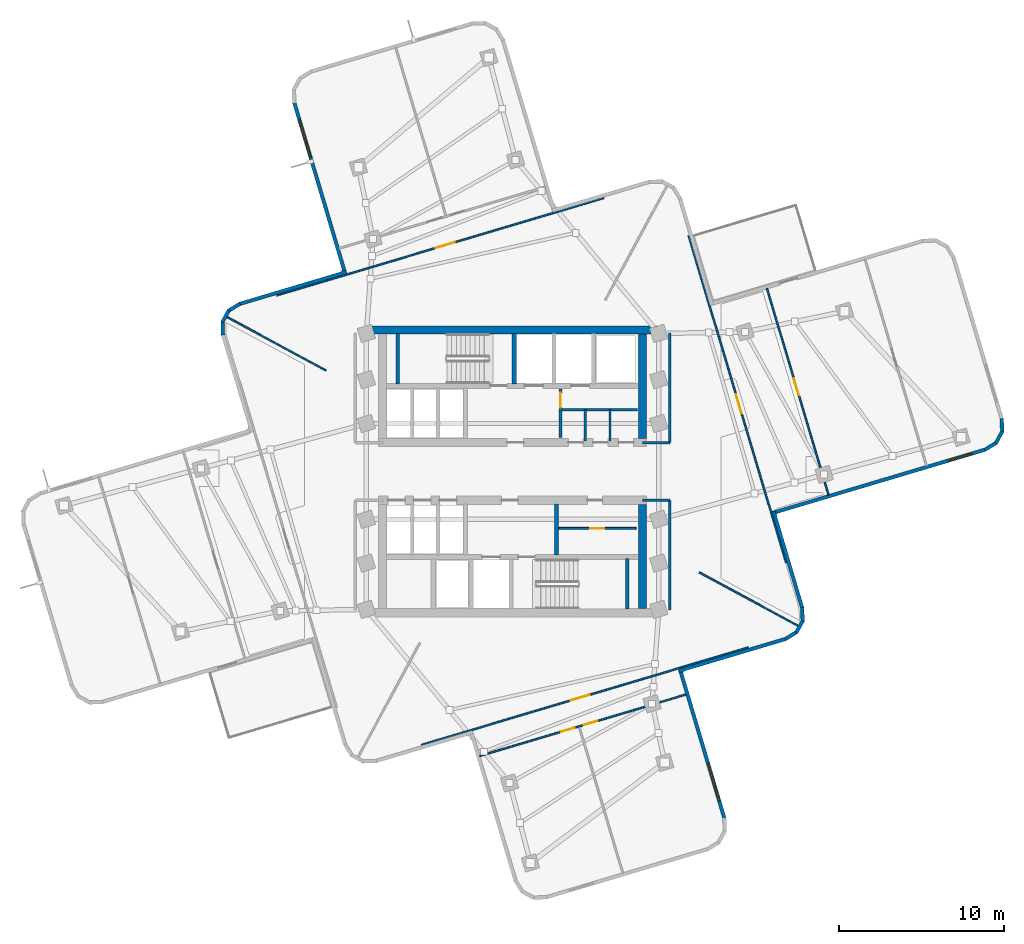
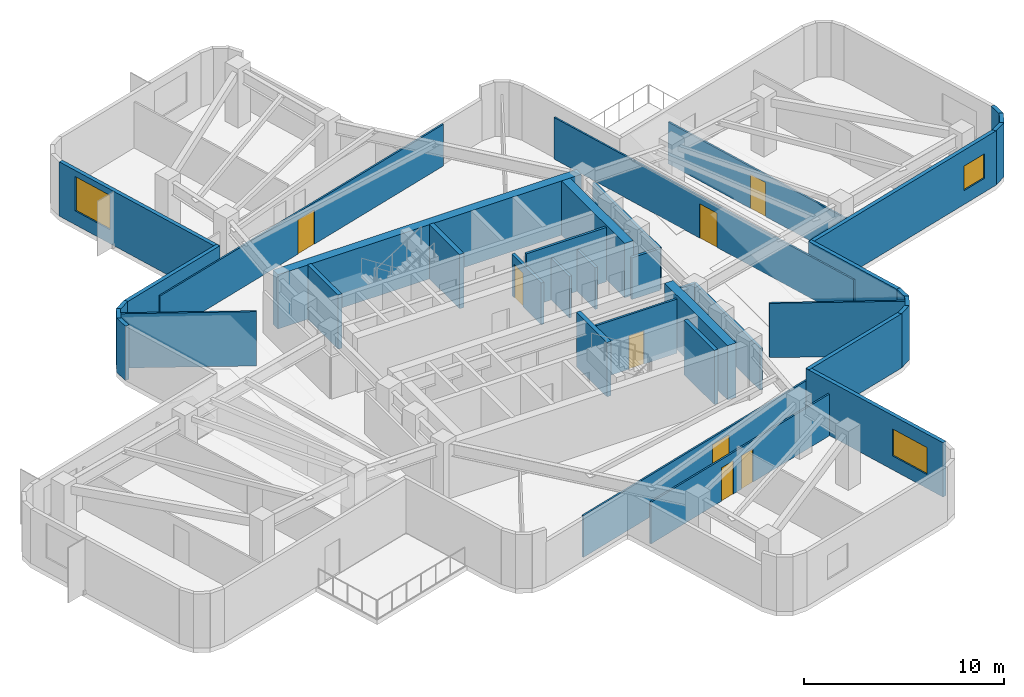
# One storey, part 4 of 8: 38 walls, 8 doors, 3 windows, 11 openings.
"""IFC4 building model written with IfcOpenShell, lengths in metres."""

from ifc_helpers import new_model, si_unit, direction, frame, frame_2d, origin, place, context, subcontext, project, spatial, rectangle, extrude, material, layer, layer_set, type_object, element, fill, save


model = new_model("IFC4")

# Units and contexts
model_context = context("Model", 3, precision=1e-05, world=origin(), true_north=direction((0.0, 1.0)))
body_context = subcontext(model_context, "Body", "Model", "MODEL_VIEW")
ifc_project = project(units=[si_unit("LENGTHUNIT", "METRE"), si_unit("AREAUNIT", "SQUARE_METRE"), si_unit("VOLUMEUNIT", "CUBIC_METRE"), si_unit("PLANEANGLEUNIT", "RADIAN"), si_unit("MASSUNIT", "GRAM", prefix="KILO")], contexts=[model_context])

# Site, building, storey
site_placement = place(None, origin())
site = spatial("IfcSite", under=ifc_project, at=site_placement, CompositionType="ELEMENT")
building_placement = place(site_placement, origin())
building = spatial("IfcBuilding", under=site, at=building_placement, Name="Solmarez Civic Tower", CompositionType="ELEMENT")
storey_placement = place(building_placement, frame((0.0, 0.0, 145.080078125)))
storey = spatial("IfcBuildingStorey", under=building, at=storey_placement, Name="L38", CompositionType="ELEMENT", Elevation=145.080078125)

# Walls
ifc_material_1 = material(Name="Concrete C60/75", Category="concrete")
ifc_layer_1 = layer(ifc_material_1, 0.5)
ifc_layer_set_1 = layer_set([ifc_layer_1], Name="Concrete C60/75")
wall_type_1 = type_object("IfcWallType", Name="WALL-CORE-500", PredefinedType="SHEAR", material=ifc_layer_set_1)
wall_1_placement = place(storey_placement, frame((-8.780029296875, 8.56005859375, 0.0), z_axis=(0.0, 0.0, 1.0), x_axis=(1.0, 0.0, 0.0)))
element("IfcWall", 1, at=wall_1_placement, inside=storey, type_object=wall_type_1, Name="L38 Split-Core Structural Wall NCW-N-L38", PredefinedType="SHEAR", context=body_context, shape_type="SweptSolid", body=[
    extrude(rectangle(XDim=17.56005859375, YDim=0.5, at=frame_2d((8.780029296875, 0.0))), origin(), (0.0, 0.0, 1.0), 3.31982421875),
])
for number, where, z_axis, x_axis, name in (
    (2, (7.8701171875, 8.31005859375, 0.0), (0.0, 0.0, 1.0), (0.0, -1.0, 0.0), "L38 Split-Core Structural Wall NCW-E-L38"),
    (3, (7.8701171875, -2.0, 0.0), (0.0, 0.0, 1.0), (0.0, -1.0, 0.0), "L38 Split-Core Structural Wall SCW-E-L38"),
):
    element("IfcWall", number, at=place(storey_placement, frame(where, z_axis=z_axis, x_axis=x_axis)), inside=storey, type_object=wall_type_1, Name=name, PredefinedType="SHEAR", context=body_context, shape_type="SweptSolid", body=[
        extrude(rectangle(XDim=6.31005859375, YDim=0.5, at=frame_2d((3.155029296875, 0.0))), origin(), (0.0, 0.0, 1.0), 3.31982421875),
    ])
ifc_material_2 = material(Name="Precast concrete C40/50", Category="concrete")
ifc_layer_2 = layer(ifc_material_2, 0.219970703125)
ifc_layer_set_2 = layer_set([ifc_layer_2], Name="Precast concrete C40/50")
wall_type_2 = type_object("IfcWallType", Name="WALL-EXT-220", PredefinedType="SOLIDWALL", material=ifc_layer_set_2)
wall_2_placement = place(storey_placement, frame((-17.532958984375, 8.24609375, 0.0), z_axis=(0.0, 0.0, 1.0), x_axis=(-0.028676726094, 0.999588738122, 0.0)))
element("IfcWall", 4, at=wall_2_placement, inside=storey, type_object=wall_type_2, Name="L38 Exterior Precast Wall 14", PredefinedType="SOLIDWALL", context=body_context, shape_type="SweptSolid", body=[
    extrude(rectangle(XDim=0.834228515625, YDim=0.219970703125, at=frame_2d((0.4169921875, 0.0))), origin(), (0.0, 0.0, 1.0), 3.31982421875),
])
wall_3_placement = place(storey_placement, frame((-17.568115234375, 9.032958984375, 0.0), z_axis=(0.0, 0.0, 1.0), x_axis=(0.475928115507, 0.879484183411, 0.0)))
element("IfcWall", 5, at=wall_3_placement, inside=storey, type_object=wall_type_2, Name="L38 Exterior Precast Wall 15", PredefinedType="SOLIDWALL", context=body_context, shape_type="SweptSolid", body=[
    extrude(rectangle(XDim=0.81982421875, YDim=0.219970703125, at=frame_2d((0.409912109375, 0.0))), origin(), (0.0, 0.0, 1.0), 3.31982421875),
])
wall_4_placement = place(storey_placement, frame((-17.2109375, 9.718994140625, 0.0), z_axis=(0.0, 0.0, 1.0), x_axis=(0.851597982144, 0.524195456684, 0.0)))
element("IfcWall", 6, at=wall_4_placement, inside=storey, type_object=wall_type_2, Name="L38 Exterior Precast Wall 16", PredefinedType="SOLIDWALL", context=body_context, shape_type="SweptSolid", body=[
    extrude(rectangle(XDim=0.833740234375, YDim=0.219970703125, at=frame_2d((0.4169921875, 0.0))), origin(), (0.0, 0.0, 1.0), 3.31982421875),
])
wall_5_placement = place(storey_placement, frame((-16.5458984375, 10.135986328125, 0.0), z_axis=(0.0, 0.0, 1.0), x_axis=(0.958346765514, 0.285607207592, 0.0)))
element("IfcWall", 7, at=wall_5_placement, inside=storey, type_object=wall_type_2, Name="L38 Exterior Precast Wall 17", PredefinedType="SOLIDWALL", context=body_context, shape_type="SweptSolid", body=[
    extrude(rectangle(XDim=6.75732421875, YDim=0.219970703125, at=frame_2d((3.378662109375, 0.0))), origin(), (0.0, 0.0, 1.0), 3.31982421875),
])

# Wall, opening, window
wall_6_placement = place(storey_placement, frame((-10.12890625, 11.95703125, 0.0), z_axis=(0.0, 0.0, 1.0), x_axis=(-0.285596101976, 0.958350075148, 0.0)))
wall_6 = element("IfcWall", 8, at=wall_6_placement, inside=storey, type_object=wall_type_2, Name="L38 Exterior Precast Wall 20", PredefinedType="SOLIDWALL", context=body_context, shape_type="SweptSolid", body=[
    extrude(rectangle(XDim=10.858154296875, YDim=0.219970703125, at=frame_2d((5.42919921875, 0.0))), origin(), (0.0, 0.0, 1.0), 3.31982421875),
])
opening_1_placement = place(wall_6_placement, frame((7.35791015625, 0.0, 0.85009765625)))
opening_1 = element("IfcOpeningElement", 9, at=opening_1_placement, cuts=wall_6, Name="Opening W-02", PredefinedType="OPENING", context=body_context, shape_type="SweptSolid", body=[
    extrude(rectangle(XDim=2.39990234375, YDim=2.10009765625, at=frame_2d((1.199951171875, 1.050048828125))), frame((0.0, 0.119873046875, 0.0), z_axis=(0.0, -1.0, 0.0), x_axis=(1.0, 0.0, 0.0)), (0.0, 0.0, 1.0), 0.239990234375),
])
ifc_material_3 = material(Name="Solar Control Bronze-Tinted Insulating Glass", Category="glass")
window_type_1 = type_object("IfcWindowType", Name="WIN-2400X2100", PartitioningType="SINGLE_PANEL", PredefinedType="WINDOW", material=ifc_material_3)
window_1_placement = place(opening_1_placement, origin())
window_1 = element("IfcWindow", 10, at=window_1_placement, inside=storey, type_object=window_type_1, Name="L38 Exterior Facade Window 20", OverallHeight=2.10009765625, OverallWidth=2.39990234375, PartitioningType="SINGLE_PANEL", PredefinedType="WINDOW", context=body_context, shape_type="SweptSolid", body=[
    extrude(rectangle(XDim=2.39990234375, YDim=2.10009765625, at=frame_2d((1.199951171875, 1.050048828125))), frame((0.0, 0.030029296875, 0.0), z_axis=(0.0, -1.0, 0.0), x_axis=(1.0, 0.0, 0.0)), (0.0, 0.0, 1.0), 0.06005859375),
])
fill(opening_1, window_1)

# Walls
wall_7_placement = place(storey_placement, frame((29.613037109375, 3.212890625, 0.0), z_axis=(0.0, 0.0, 1.0), x_axis=(0.027507151941, -0.999621606705, 0.0)))
element("IfcWall", 11, at=wall_7_placement, inside=storey, type_object=wall_type_2, Name="L38 Exterior Precast Wall 43", PredefinedType="SOLIDWALL", context=body_context, shape_type="SweptSolid", body=[
    extrude(rectangle(XDim=0.834228515625, YDim=0.219970703125, at=frame_2d((0.4169921875, 0.0))), origin(), (0.0, 0.0, 1.0), 3.31982421875),
])
wall_8_placement = place(storey_placement, frame((29.64697265625, 2.426025390625, 0.0), z_axis=(0.0, 0.0, 1.0), x_axis=(-0.474775054815, -0.880107179453, 0.0)))
element("IfcWall", 12, at=wall_8_placement, inside=storey, type_object=wall_type_2, Name="L38 Exterior Precast Wall 44", PredefinedType="SOLIDWALL", context=body_context, shape_type="SweptSolid", body=[
    extrude(rectangle(XDim=0.819091796875, YDim=0.219970703125, at=frame_2d((0.40966796875, 0.0))), origin(), (0.0, 0.0, 1.0), 3.31982421875),
])
wall_9_placement = place(storey_placement, frame((29.291015625, 1.739990234375, 0.0), z_axis=(0.0, 0.0, 1.0), x_axis=(-0.851597982144, -0.524195456684, 0.0)))
element("IfcWall", 13, at=wall_9_placement, inside=storey, type_object=wall_type_2, Name="L38 Exterior Precast Wall 45", PredefinedType="SOLIDWALL", context=body_context, shape_type="SweptSolid", body=[
    extrude(rectangle(XDim=0.833740234375, YDim=0.219970703125, at=frame_2d((0.4169921875, 0.0))), origin(), (0.0, 0.0, 1.0), 3.31982421875),
])

# Wall, opening, window
wall_10_placement = place(storey_placement, frame((28.6259765625, 1.322998046875, 0.0), z_axis=(0.0, 0.0, 1.0), x_axis=(-0.958343962332, -0.285616613419, 0.0)))
wall_10 = element("IfcWall", 14, at=wall_10_placement, inside=storey, type_object=wall_type_2, Name="L38 Exterior Precast Wall 46", PredefinedType="SOLIDWALL", context=body_context, shape_type="SweptSolid", body=[
    extrude(rectangle(XDim=13.45849609375, YDim=0.219970703125, at=frame_2d((6.729248046875, 0.0))), origin(), (0.0, 0.0, 1.0), 3.31982421875),
])
opening_2_placement = place(wall_10_placement, frame((0.85009765625, 0.0, 0.85009765625)))
opening_2 = element("IfcOpeningElement", 15, at=opening_2_placement, cuts=wall_10, Name="Opening W-14", PredefinedType="OPENING", context=body_context, shape_type="SweptSolid", body=[
    extrude(rectangle(XDim=1.5, YDim=1.5, at=frame_2d((0.75, 0.75))), frame((0.0, 0.119873046875, 0.0), z_axis=(0.0, -1.0, 0.0), x_axis=(1.0, 0.0, 0.0)), (0.0, 0.0, 1.0), 0.239990234375),
])
window_type_2 = type_object("IfcWindowType", Name="WIN-1500X1500", PartitioningType="SINGLE_PANEL", PredefinedType="WINDOW", material=ifc_material_3)
window_2_placement = place(opening_2_placement, origin())
window_2 = element("IfcWindow", 16, at=window_2_placement, inside=storey, type_object=window_type_2, Name="L38 Exterior Facade Window 46", OverallHeight=1.5, OverallWidth=1.5, PartitioningType="SINGLE_PANEL", PredefinedType="WINDOW", context=body_context, shape_type="SweptSolid", body=[
    extrude(rectangle(XDim=1.5, YDim=1.5, at=frame_2d((0.75, 0.75))), frame((0.0, 0.030029296875, 0.0), z_axis=(0.0, -1.0, 0.0), x_axis=(1.0, 0.0, 0.0)), (0.0, 0.0, 1.0), 0.06005859375),
])
fill(opening_2, window_2)

# Walls
wall_11_placement = place(storey_placement, frame((15.787109375, -2.412109375, 0.0), z_axis=(0.0, 0.0, 1.0), x_axis=(0.285712854037, -0.958315274342, 0.0)))
element("IfcWall", 17, at=wall_11_placement, inside=storey, type_object=wall_type_2, Name="L38 Exterior Precast Wall 49", PredefinedType="SOLIDWALL", context=body_context, shape_type="SweptSolid", body=[
    extrude(rectangle(XDim=6.138671875, YDim=0.219970703125, at=frame_2d((3.0693359375, 0.0))), origin(), (0.0, 0.0, 1.0), 3.31982421875),
])
wall_12_placement = place(storey_placement, frame((17.532958984375, -8.24609375, 0.0), z_axis=(0.0, 0.0, 1.0), x_axis=(0.028676726094, -0.999588738122, 0.0)))
element("IfcWall", 18, at=wall_12_placement, inside=storey, type_object=wall_type_2, Name="L38 Exterior Precast Wall 50", PredefinedType="SOLIDWALL", context=body_context, shape_type="SweptSolid", body=[
    extrude(rectangle(XDim=0.834228515625, YDim=0.219970703125, at=frame_2d((0.4169921875, 0.0))), origin(), (0.0, 0.0, 1.0), 3.31982421875),
])
wall_13_placement = place(storey_placement, frame((17.568115234375, -9.032958984375, 0.0), z_axis=(0.0, 0.0, 1.0), x_axis=(-0.475928115507, -0.879484183411, 0.0)))
element("IfcWall", 19, at=wall_13_placement, inside=storey, type_object=wall_type_2, Name="L38 Exterior Precast Wall 51", PredefinedType="SOLIDWALL", context=body_context, shape_type="SweptSolid", body=[
    extrude(rectangle(XDim=0.81982421875, YDim=0.219970703125, at=frame_2d((0.409912109375, 0.0))), origin(), (0.0, 0.0, 1.0), 3.31982421875),
])
wall_14_placement = place(storey_placement, frame((17.2109375, -9.718994140625, 0.0), z_axis=(0.0, 0.0, 1.0), x_axis=(-0.851597982144, -0.524195456684, 0.0)))
element("IfcWall", 20, at=wall_14_placement, inside=storey, type_object=wall_type_2, Name="L38 Exterior Precast Wall 52", PredefinedType="SOLIDWALL", context=body_context, shape_type="SweptSolid", body=[
    extrude(rectangle(XDim=0.833740234375, YDim=0.219970703125, at=frame_2d((0.4169921875, 0.0))), origin(), (0.0, 0.0, 1.0), 3.31982421875),
])
wall_15_placement = place(storey_placement, frame((16.5458984375, -10.135986328125, 0.0), z_axis=(0.0, 0.0, 1.0), x_axis=(-0.958346765514, -0.285607207592, 0.0)))
element("IfcWall", 21, at=wall_15_placement, inside=storey, type_object=wall_type_2, Name="L38 Exterior Precast Wall 53", PredefinedType="SOLIDWALL", context=body_context, shape_type="SweptSolid", body=[
    extrude(rectangle(XDim=6.75732421875, YDim=0.219970703125, at=frame_2d((3.378662109375, 0.0))), origin(), (0.0, 0.0, 1.0), 3.31982421875),
])

# Wall, opening, window
wall_16_placement = place(storey_placement, frame((10.12890625, -11.95703125, 0.0), z_axis=(0.0, 0.0, 1.0), x_axis=(0.285599672934, -0.958349010966, 0.0)))
wall_16 = element("IfcWall", 22, at=wall_16_placement, inside=storey, type_object=wall_type_2, Name="L38 Exterior Precast Wall 56", PredefinedType="SOLIDWALL", context=body_context, shape_type="SweptSolid", body=[
    extrude(rectangle(XDim=9.4580078125, YDim=0.219970703125, at=frame_2d((4.72900390625, 0.0))), origin(), (0.0, 0.0, 1.0), 3.31982421875),
])
opening_3_placement = place(wall_16_placement, frame((5.9580078125, 0.0, 0.85009765625)))
opening_3 = element("IfcOpeningElement", 23, at=opening_3_placement, cuts=wall_16, Name="Opening W-10", PredefinedType="OPENING", context=body_context, shape_type="SweptSolid", body=[
    extrude(rectangle(XDim=2.39990234375, YDim=1.64990234375, at=frame_2d((1.199951171875, 0.824951171875))), frame((0.0, 0.119873046875, 0.0), z_axis=(0.0, -1.0, 0.0), x_axis=(1.0, 0.0, 0.0)), (0.0, 0.0, 1.0), 0.239990234375),
])
window_type_3 = type_object("IfcWindowType", Name="WIN-2400X1650", PartitioningType="SINGLE_PANEL", PredefinedType="WINDOW", material=ifc_material_3)
window_3_placement = place(opening_3_placement, origin())
window_3 = element("IfcWindow", 24, at=window_3_placement, inside=storey, type_object=window_type_3, Name="L38 Exterior Facade Window 56", OverallHeight=1.64990234375, OverallWidth=2.39990234375, PartitioningType="SINGLE_PANEL", PredefinedType="WINDOW", context=body_context, shape_type="SweptSolid", body=[
    extrude(rectangle(XDim=2.39990234375, YDim=1.64990234375, at=frame_2d((1.199951171875, 0.824951171875))), frame((0.0, 0.030029296875, 0.0), z_axis=(0.0, -1.0, 0.0), x_axis=(1.0, 0.0, 0.0)), (0.0, 0.0, 1.0), 0.06005859375),
])
fill(opening_3, window_3)

# Walls
ifc_material_4 = material(Name="Gypsum Board Acoustic Steel-Stud Partition", Category="steel")
ifc_layer_3 = layer(ifc_material_4, 0.14990234375)
ifc_layer_set_3 = layer_set([ifc_layer_3], Name="Gypsum Board Acoustic Steel-Stud Partition")
wall_type_3 = type_object("IfcWallType", Name="WALL-INT-FIRE-150", PredefinedType="PARTITIONING", material=ifc_layer_set_3)
wall_17_placement = place(storey_placement, frame((9.52001953125, 1.75, 0.0), z_axis=(0.0, 0.0, 1.0), x_axis=(0.0, 1.0, 0.0)))
element("IfcWall", 25, at=wall_17_placement, inside=storey, type_object=wall_type_3, Name="L38 Interior Partition CHW-L38-EN1", PredefinedType="PARTITIONING", context=body_context, shape_type="SweptSolid", body=[
    extrude(rectangle(XDim=6.6298828125, YDim=0.14990234375, at=frame_2d((3.31494140625, 0.0))), origin(), (0.0, 0.0, 1.0), 2.5498046875),
])
wall_18_placement = place(storey_placement, frame((7.85009765625, 1.75, 0.0), z_axis=(0.0, 0.0, 1.0), x_axis=(1.0, 0.0, 0.0)))
element("IfcWall", 26, at=wall_18_placement, inside=storey, type_object=wall_type_3, Name="L38 Interior Partition CHW-L38-EN3", PredefinedType="PARTITIONING", context=body_context, shape_type="SweptSolid", body=[
    extrude(rectangle(XDim=1.669921875, YDim=0.14990234375, at=frame_2d((0.8349609375, 0.0))), origin(), (0.0, 0.0, 1.0), 2.5498046875),
])
wall_19_placement = place(storey_placement, frame((9.52001953125, -8.3798828125, 0.0), z_axis=(0.0, 0.0, 1.0), x_axis=(0.0, 1.0, 0.0)))
element("IfcWall", 27, at=wall_19_placement, inside=storey, type_object=wall_type_3, Name="L38 Interior Partition CHW-L38-ES1", PredefinedType="PARTITIONING", context=body_context, shape_type="SweptSolid", body=[
    extrude(rectangle(XDim=6.6298828125, YDim=0.14990234375, at=frame_2d((3.31494140625, 0.0))), origin(), (0.0, 0.0, 1.0), 2.5498046875),
])
wall_20_placement = place(storey_placement, frame((7.85009765625, -1.75, 0.0), z_axis=(0.0, 0.0, 1.0), x_axis=(1.0, 0.0, 0.0)))
element("IfcWall", 28, at=wall_20_placement, inside=storey, type_object=wall_type_3, Name="L38 Interior Partition CHW-L38-ES3", PredefinedType="PARTITIONING", context=body_context, shape_type="SweptSolid", body=[
    extrude(rectangle(XDim=1.669921875, YDim=0.14990234375, at=frame_2d((0.8349609375, 0.0))), origin(), (0.0, 0.0, 1.0), 2.5498046875),
])
ifc_layer_4 = layer(ifc_material_4, 0.10009765625)
ifc_layer_set_4 = layer_set([ifc_layer_4], Name="Gypsum Board Acoustic Steel-Stud Partition")
wall_type_4 = type_object("IfcWallType", Name="WALL-INT-PART-100", PredefinedType="PARTITIONING", material=ifc_layer_set_4)
for number, where, z_axis, x_axis, name in (
    (29, (-11.300048828125, 6.110107421875, 0.0), (0.0, 0.0, 1.0), (-0.879653556483, 0.475614991948, 0.0), "L38 Interior Partition PT-L38-QDIV-2"),
    (30, (11.300048828125, -6.110107421875, 0.0), (0.0, 0.0, 1.0), (0.879653556483, -0.475614991948, 0.0), "L38 Interior Partition PT-L38-QDIV-4"),
):
    element("IfcWall", number, at=place(storey_placement, frame(where, z_axis=z_axis, x_axis=x_axis)), inside=storey, type_object=wall_type_4, Name=name, PredefinedType="PARTITIONING", context=body_context, shape_type="SweptSolid", body=[
        extrude(rectangle(XDim=6.82861328125, YDim=0.10009765625, at=frame_2d((3.414306640625, 0.0))), origin(), (0.0, 0.0, 1.0), 3.31982421875),
    ])

# Wall, opening, door
wall_21_placement = place(storey_placement, frame((10.655029296875, 14.279052734375, 0.0), z_axis=(0.0, 0.0, 1.0), x_axis=(0.285665949025, -0.958329257389, 0.0)))
wall_21 = element("IfcWall", 31, at=wall_21_placement, inside=storey, type_object=wall_type_4, Name="L38 Interior Partition PT-L38-E-ENT", PredefinedType="PARTITIONING", context=body_context, shape_type="SweptSolid", body=[
    extrude(rectangle(XDim=20.659912109375, YDim=0.10009765625, at=frame_2d((10.330078125, 0.0))), origin(), (0.0, 0.0, 1.0), 2.5498046875),
])
opening_4_placement = place(wall_21_placement, frame((10.0400390625, 0.0, 0.0)))
opening_4 = element("IfcOpeningElement", 32, at=opening_4_placement, cuts=wall_21, Name="Opening D-11", PredefinedType="OPENING", context=body_context, shape_type="SweptSolid", body=[
    extrude(rectangle(XDim=1.199951171875, YDim=2.10009765625, at=frame_2d((0.60009765625, 1.050048828125))), frame((0.0, 0.06005859375, 0.0), z_axis=(0.0, -1.0, 0.0), x_axis=(1.0, 0.0, 0.0)), (0.0, 0.0, 1.0), 0.1201171875),
])
ifc_material_5 = material(Name="Glazed-Vision Acoustic Chamber Door", Category="wood")
door_type_1 = type_object("IfcDoorType", Name="DOOR-INT-1200", OperationType="NOTDEFINED", PredefinedType="DOOR", material=ifc_material_5)
door_1_placement = place(opening_4_placement, origin())
door_1 = element("IfcDoor", 33, at=door_1_placement, inside=storey, type_object=door_type_1, Name="L38 Maritime Registry Citizen Consultation Room First East Door", OperationType="SINGLE_SWING_LEFT", OverallHeight=2.10009765625, OverallWidth=1.199951171875, PredefinedType="DOOR", context=body_context, shape_type="SweptSolid", body=[
    extrude(rectangle(XDim=1.199951171875, YDim=2.10009765625, at=frame_2d((0.60009765625, 1.050048828125))), frame((0.0, 0.02490234375, 0.0), z_axis=(0.0, -1.0, 0.0), x_axis=(1.0, 0.0, 0.0)), (0.0, 0.0, 1.0), 0.050048828125),
])
fill(opening_4, door_1)

wall_22_placement = place(storey_placement, frame((15.39794921875, 11.075927734375, 0.0), z_axis=(0.0, 0.0, 1.0), x_axis=(0.285679130118, -0.958325328171, 0.0)))
wall_22 = element("IfcWall", 34, at=wall_22_placement, inside=storey, type_object=wall_type_4, Name="L38 Interior Partition PT-L38-E-SC1", PredefinedType="PARTITIONING", context=body_context, shape_type="SweptSolid", body=[
    extrude(rectangle(XDim=13.0498046875, YDim=0.10009765625, at=frame_2d((6.52490234375, 0.0))), origin(), (0.0, 0.0, 1.0), 2.5498046875),
])
opening_5_placement = place(wall_22_placement, frame((5.68994140625, 0.0, 0.0)))
opening_5 = element("IfcOpeningElement", 35, at=opening_5_placement, cuts=wall_22, Name="Opening D-13", PredefinedType="OPENING", context=body_context, shape_type="SweptSolid", body=[
    extrude(rectangle(XDim=1.050048828125, YDim=2.080078125, at=frame_2d((0.52490234375, 1.0400390625))), frame((0.0, 0.06005859375, 0.0), z_axis=(0.0, -1.0, 0.0), x_axis=(1.0, 0.0, 0.0)), (0.0, 0.0, 1.0), 0.1201171875),
])
ifc_material_6 = material(Name="Timber Directorate Office Door", Category="wood")
door_type_2 = type_object("IfcDoorType", Name="DOOR-INT-1050", OperationType="NOTDEFINED", PredefinedType="DOOR", material=ifc_material_6)
door_2_placement = place(opening_5_placement, origin())
door_2 = element("IfcDoor", 36, at=door_2_placement, inside=storey, type_object=door_type_2, Name="L38 Policy Administration Office East Door", OperationType="SINGLE_SWING_LEFT", OverallHeight=2.080078125, OverallWidth=1.050048828125, PredefinedType="DOOR", context=body_context, shape_type="SweptSolid", body=[
    extrude(rectangle(XDim=1.050048828125, YDim=2.080078125, at=frame_2d((0.52490234375, 1.0400390625))), frame((0.0, 0.02490234375, 0.0), z_axis=(0.0, -1.0, 0.0), x_axis=(1.0, 0.0, 0.0)), (0.0, 0.0, 1.0), 0.050048828125),
])
fill(opening_5, door_2)

wall_23_placement = place(storey_placement, frame((-14.279052734375, 10.655029296875, 0.0), z_axis=(0.0, 0.0, 1.0), x_axis=(0.958329257389, 0.285665949025, 0.0)))
wall_23 = element("IfcWall", 37, at=wall_23_placement, inside=storey, type_object=wall_type_4, Name="L38 Interior Partition PT-L38-N-ENT", PredefinedType="PARTITIONING", context=body_context, shape_type="SweptSolid", body=[
    extrude(rectangle(XDim=20.659912109375, YDim=0.10009765625, at=frame_2d((10.330078125, 0.0))), origin(), (0.0, 0.0, 1.0), 2.5498046875),
])
opening_6_placement = place(wall_23_placement, frame((10.0400390625, 0.0, 0.0)))
opening_6 = element("IfcOpeningElement", 38, at=opening_6_placement, cuts=wall_23, Name="Opening D-11", PredefinedType="OPENING", context=body_context, shape_type="SweptSolid", body=[
    extrude(rectangle(XDim=1.199951171875, YDim=2.10009765625, at=frame_2d((0.60009765625, 1.050048828125))), frame((0.0, 0.06005859375, 0.0), z_axis=(0.0, -1.0, 0.0), x_axis=(1.0, 0.0, 0.0)), (0.0, 0.0, 1.0), 0.1201171875),
])
door_3_placement = place(opening_6_placement, origin())
door_3 = element("IfcDoor", 39, at=door_3_placement, inside=storey, type_object=door_type_1, Name="L38 Policy Administration Office First North Door", OperationType="SINGLE_SWING_LEFT", OverallHeight=2.10009765625, OverallWidth=1.199951171875, PredefinedType="DOOR", context=body_context, shape_type="SweptSolid", body=[
    extrude(rectangle(XDim=1.199951171875, YDim=2.10009765625, at=frame_2d((0.60009765625, 1.050048828125))), frame((0.0, 0.02490234375, 0.0), z_axis=(0.0, -1.0, 0.0), x_axis=(1.0, 0.0, 0.0)), (0.0, 0.0, 1.0), 0.050048828125),
])
fill(opening_6, door_3)

wall_24_placement = place(storey_placement, frame((14.279052734375, -10.655029296875, 0.0), z_axis=(0.0, 0.0, 1.0), x_axis=(-0.958329257389, -0.285665949025, 0.0)))
wall_24 = element("IfcWall", 40, at=wall_24_placement, inside=storey, type_object=wall_type_4, Name="L38 Interior Partition PT-L38-S-ENT", PredefinedType="PARTITIONING", context=body_context, shape_type="SweptSolid", body=[
    extrude(rectangle(XDim=20.659912109375, YDim=0.10009765625, at=frame_2d((10.330078125, 0.0))), origin(), (0.0, 0.0, 1.0), 2.5498046875),
])
opening_7_placement = place(wall_24_placement, frame((10.0400390625, 0.0, 0.0)))
opening_7 = element("IfcOpeningElement", 41, at=opening_7_placement, cuts=wall_24, Name="Opening D-11", PredefinedType="OPENING", context=body_context, shape_type="SweptSolid", body=[
    extrude(rectangle(XDim=1.199951171875, YDim=2.10009765625, at=frame_2d((0.60009765625, 1.050048828125))), frame((0.0, 0.06005859375, 0.0), z_axis=(0.0, -1.0, 0.0), x_axis=(1.0, 0.0, 0.0)), (0.0, 0.0, 1.0), 0.1201171875),
])
door_4_placement = place(opening_7_placement, origin())
door_4 = element("IfcDoor", 42, at=door_4_placement, inside=storey, type_object=door_type_1, Name="L38 Legal Counselling Room First South Door", OperationType="SINGLE_SWING_LEFT", OverallHeight=2.10009765625, OverallWidth=1.199951171875, PredefinedType="DOOR", context=body_context, shape_type="SweptSolid", body=[
    extrude(rectangle(XDim=1.199951171875, YDim=2.10009765625, at=frame_2d((0.60009765625, 1.050048828125))), frame((0.0, 0.02490234375, 0.0), z_axis=(0.0, -1.0, 0.0), x_axis=(1.0, 0.0, 0.0)), (0.0, 0.0, 1.0), 0.050048828125),
])
fill(opening_7, door_4)

# Wall, openings, doors
wall_25_placement = place(storey_placement, frame((-1.99609375, -17.22802734375, 0.0), z_axis=(0.0, 0.0, 1.0), x_axis=(0.958326854981, 0.285674008308, 0.0)))
wall_25 = element("IfcWall", 43, at=wall_25_placement, inside=storey, type_object=wall_type_4, Name="L38 Interior Partition PT-L38-S-SCUT", PredefinedType="PARTITIONING", context=body_context, shape_type="SweptSolid", body=[
    extrude(rectangle(XDim=13.050048828125, YDim=0.10009765625, at=frame_2d((6.52490234375, 0.0))), origin(), (0.0, 0.0, 1.0), 2.5498046875),
])
opening_8_placement = place(wall_25_placement, frame((5.135009765625, 0.0, 0.0)))
opening_8 = element("IfcOpeningElement", 44, at=opening_8_placement, cuts=wall_25, Name="Opening D-14", PredefinedType="OPENING", context=body_context, shape_type="SweptSolid", body=[
    extrude(rectangle(XDim=0.860107421875, YDim=2.0400390625, at=frame_2d((0.43017578125, 1.02001953125))), frame((0.0, 0.06005859375, 0.0), z_axis=(0.0, -1.0, 0.0), x_axis=(1.0, 0.0, 0.0)), (0.0, 0.0, 1.0), 0.1201171875),
])
opening_9_placement = place(wall_25_placement, frame((6.574951171875, 0.0, 0.0)))
opening_9 = element("IfcOpeningElement", 45, at=opening_9_placement, cuts=wall_25, Name="Opening D-14", PredefinedType="OPENING", context=body_context, shape_type="SweptSolid", body=[
    extrude(rectangle(XDim=0.860107421875, YDim=2.0400390625, at=frame_2d((0.43017578125, 1.02001953125))), frame((0.0, 0.06005859375, 0.0), z_axis=(0.0, -1.0, 0.0), x_axis=(1.0, 0.0, 0.0)), (0.0, 0.0, 1.0), 0.1201171875),
])
ifc_material_7 = material(Name="Timber Storage and Pantry Door", Category="wood")
door_type_3 = type_object("IfcDoorType", Name="DOOR-INT-850", OperationType="NOTDEFINED", PredefinedType="DOOR", material=ifc_material_7)
door_5_placement = place(opening_8_placement, origin())
door_5 = element("IfcDoor", 46, at=door_5_placement, inside=storey, type_object=door_type_3, Name="L38 Policy Administration Office Third South Door", OperationType="SINGLE_SWING_RIGHT", OverallHeight=2.0400390625, OverallWidth=0.860107421875, PredefinedType="DOOR", context=body_context, shape_type="SweptSolid", body=[
    extrude(rectangle(XDim=0.860107421875, YDim=2.0400390625, at=frame_2d((0.43017578125, 1.02001953125))), frame((0.0, 0.02490234375, 0.0), z_axis=(0.0, -1.0, 0.0), x_axis=(1.0, 0.0, 0.0)), (0.0, 0.0, 1.0), 0.050048828125),
])
fill(opening_8, door_5)
door_6_placement = place(opening_9_placement, origin())
door_6 = element("IfcDoor", 47, at=door_6_placement, inside=storey, type_object=door_type_3, Name="L38 Citizen Consultation Room Second South Door", OperationType="SINGLE_SWING_LEFT", OverallHeight=2.0400390625, OverallWidth=0.860107421875, PredefinedType="DOOR", context=body_context, shape_type="SweptSolid", body=[
    extrude(rectangle(XDim=0.860107421875, YDim=2.0400390625, at=frame_2d((0.43017578125, 1.02001953125))), frame((0.0, 0.02490234375, 0.0), z_axis=(0.0, -1.0, 0.0), x_axis=(1.0, 0.0, 0.0)), (0.0, 0.0, 1.0), 0.050048828125),
])
fill(opening_9, door_6)

# Wall, opening, door
ifc_layer_5 = layer(ifc_material_4, 0.1201171875)
ifc_layer_set_5 = layer_set([ifc_layer_5], Name="Gypsum Board Acoustic Steel-Stud Partition")
wall_type_5 = type_object("IfcWallType", Name="WALL-INT-PART-120", PredefinedType="PARTITIONING", material=ifc_layer_set_5)
wall_26_placement = place(storey_placement, frame((2.800048828125, -3.449951171875, 0.0), z_axis=(0.0, 0.0, 1.0), x_axis=(1.0, 0.0, 0.0)))
wall_26 = element("IfcWall", 48, at=wall_26_placement, inside=storey, type_object=wall_type_5, Name="L38 Interior Partition PT-FPLL-L38", PredefinedType="PARTITIONING", context=body_context, shape_type="SweptSolid", body=[
    extrude(rectangle(XDim=4.679931640625, YDim=0.1201171875, at=frame_2d((2.33984375, 0.0))), origin(), (0.0, 0.0, 1.0), 3.31982421875),
])
opening_10_placement = place(wall_26_placement, frame((1.89990234375, 0.0, 0.0)))
opening_10 = element("IfcOpeningElement", 49, at=opening_10_placement, cuts=wall_26, Name="Opening D-14", PredefinedType="OPENING", context=body_context, shape_type="SweptSolid", body=[
    extrude(rectangle(XDim=0.860107421875, YDim=2.0400390625, at=frame_2d((0.43017578125, 1.02001953125))), frame((0.0, 0.070068359375, 0.0), z_axis=(0.0, -1.0, 0.0), x_axis=(1.0, 0.0, 0.0)), (0.0, 0.0, 1.0), 0.14013671875),
])
door_7_placement = place(opening_10_placement, origin())
door_7 = element("IfcDoor", 50, at=door_7_placement, inside=storey, type_object=door_type_3, Name="L38 Records Filing Room Door", OperationType="SINGLE_SWING_LEFT", OverallHeight=2.0400390625, OverallWidth=0.860107421875, PredefinedType="DOOR", context=body_context, shape_type="SweptSolid", body=[
    extrude(rectangle(XDim=0.860107421875, YDim=2.0400390625, at=frame_2d((0.43017578125, 1.02001953125))), frame((0.0, 0.02490234375, 0.0), z_axis=(0.0, -1.0, 0.0), x_axis=(1.0, 0.0, 0.0)), (0.0, 0.0, 1.0), 0.050048828125),
])
fill(opening_10, door_7)

ifc_layer_6 = layer(ifc_material_4, 0.159912109375)
ifc_layer_set_6 = layer_set([ifc_layer_6], Name="Gypsum Board Acoustic Steel-Stud Partition")
wall_type_6 = type_object("IfcWallType", Name="WALL-INT-SHAFT-160", PredefinedType="PARTITIONING", material=ifc_layer_set_6)
wall_27_placement = place(storey_placement, frame((2.89990234375, 2.0400390625, 0.0), z_axis=(0.0, 0.0, 1.0), x_axis=(0.0, 1.0, 0.0)))
wall_27 = element("IfcWall", 51, at=wall_27_placement, inside=storey, type_object=wall_type_6, Name="L38 Interior Partition SHW-NL2-L38", PredefinedType="PARTITIONING", context=body_context, shape_type="SweptSolid", body=[
    extrude(rectangle(XDim=2.93994140625, YDim=0.159912109375, at=frame_2d((1.469970703125, 0.0))), origin(), (0.0, 0.0, 1.0), 2.5498046875),
])
opening_11_placement = place(wall_27_placement, frame((1.820068359375, 0.0, 0.0)))
opening_11 = element("IfcOpeningElement", 52, at=opening_11_placement, cuts=wall_27, Name="Opening D-09", PredefinedType="OPENING", context=body_context, shape_type="SweptSolid", body=[
    extrude(rectangle(XDim=0.89990234375, YDim=2.06005859375, at=frame_2d((0.449951171875, 1.030029296875))), frame((0.0, 0.08984375, 0.0), z_axis=(0.0, -1.0, 0.0), x_axis=(1.0, 0.0, 0.0)), (0.0, 0.0, 1.0), 0.179931640625),
])
ifc_material_8 = material(Name="Fire-Rated Service Core Door", Category="wood")
door_type_4 = type_object("IfcDoorType", Name="DOOR-FD60-900", OperationType="NOTDEFINED", PredefinedType="DOOR", material=ifc_material_8)
door_8_placement = place(opening_11_placement, origin())
door_8 = element("IfcDoor", 53, at=door_8_placement, inside=storey, type_object=door_type_4, Name="L38 Service Lift Lobby Door", OperationType="SINGLE_SWING_LEFT", OverallHeight=2.06005859375, OverallWidth=0.89990234375, PredefinedType="DOOR", context=body_context, shape_type="SweptSolid", body=[
    extrude(rectangle(XDim=0.89990234375, YDim=2.06005859375, at=frame_2d((0.449951171875, 1.030029296875))), frame((0.0, 0.02490234375, 0.0), z_axis=(0.0, -1.0, 0.0), x_axis=(1.0, 0.0, 0.0)), (0.0, 0.0, 1.0), 0.050048828125),
])
fill(opening_11, door_8)

# Walls
ifc_layer_7 = layer(ifc_material_4, 0.137939453125)
ifc_layer_set_7 = layer_set([ifc_layer_7], Name="Gypsum Board Acoustic Steel-Stud Partition")
wall_type_7 = type_object("IfcWallType", Name="WALL-INT-WET-140", PredefinedType="PARTITIONING", material=ifc_layer_set_7)
wall_28_placement = place(storey_placement, frame((2.89990234375, 3.739990234375, 0.0), z_axis=(0.0, 0.0, 1.0), x_axis=(1.0, 0.0, 0.0)))
element("IfcWall", 54, at=wall_28_placement, inside=storey, type_object=wall_type_7, Name="L38 Interior Partition SHW-SVH-L38", PredefinedType="PARTITIONING", context=body_context, shape_type="SweptSolid", body=[
    extrude(rectangle(XDim=4.650146484375, YDim=0.137939453125, at=frame_2d((2.3251953125, 0.0))), origin(), (0.0, 0.0, 1.0), 3.31982421875),
])
for number, where, z_axis, x_axis, name in (
    (55, (4.39990234375, 1.85009765625, 0.0), (0.0, 0.0, 1.0), (0.0, 1.0, 0.0), "L38 Interior Partition PT-NCSV1-L38"),
    (56, (5.89990234375, 1.85009765625, 0.0), (0.0, 0.0, 1.0), (0.0, 1.0, 0.0), "L38 Interior Partition PT-NCSV2-L38"),
):
    element("IfcWall", number, at=place(storey_placement, frame(where, z_axis=z_axis, x_axis=x_axis)), inside=storey, type_object=wall_type_7, Name=name, PredefinedType="PARTITIONING", context=body_context, shape_type="SweptSolid", body=[
        extrude(rectangle(XDim=1.889892578125, YDim=0.137939453125, at=frame_2d((0.94482421875, 0.0))), origin(), (0.0, 0.0, 1.0), 2.5498046875),
    ])
ifc_material_9 = material(Name="Concrete C50/60", Category="concrete")
ifc_layer_8 = layer(ifc_material_9, 0.300048828125)
ifc_layer_set_8 = layer_set([ifc_layer_8], Name="Concrete C50/60")
wall_type_8 = type_object("IfcWallType", Name="WALL-STR-300", PredefinedType="SOLIDWALL", material=ifc_layer_set_8)
for number, where, z_axis, x_axis, name in (
    (57, (-6.949951171875, 5.280029296875, 0.0), (0.0, 0.0, 1.0), (0.0, 1.0, 0.0), "L38 Split-Core Structural Wall SHW-NW-L38"),
    (58, (6.949951171875, -8.340087890625, 0.0), (0.0, 0.0, 1.0), (0.0, 1.0, 0.0), "L38 Split-Core Structural Wall SHW-SE-L38"),
):
    element("IfcWall", number, at=place(storey_placement, frame(where, z_axis=z_axis, x_axis=x_axis)), inside=storey, type_object=wall_type_8, Name=name, PredefinedType="SOLIDWALL", context=body_context, shape_type="SweptSolid", body=[
        extrude(rectangle(XDim=3.06005859375, YDim=0.219970703125, at=frame_2d((1.530029296875, 0.0))), origin(), (0.0, 0.0, 1.0), 3.31982421875),
    ])
wall_29_placement = place(storey_placement, frame((0.10009765625, 5.300048828125, 0.0), z_axis=(0.0, 0.0, 1.0), x_axis=(0.0, 1.0, 0.0)))
element("IfcWall", 59, at=wall_29_placement, inside=storey, type_object=wall_type_8, Name="L38 Split-Core Structural Wall SHW-N1-L38", PredefinedType="SOLIDWALL", context=body_context, shape_type="SweptSolid", body=[
    extrude(rectangle(XDim=3.0400390625, YDim=0.25, at=frame_2d((1.52001953125, 0.0))), origin(), (0.0, 0.0, 1.0), 3.31982421875),
])
wall_30_placement = place(storey_placement, frame((2.64990234375, -5.050048828125, 0.0), z_axis=(0.0, 0.0, 1.0), x_axis=(0.0, 1.0, 0.0)))
element("IfcWall", 60, at=wall_30_placement, inside=storey, type_object=wall_type_8, Name="L38 Split-Core Structural Wall SHW-SL2-L38", PredefinedType="SOLIDWALL", context=body_context, shape_type="SweptSolid", body=[
    extrude(rectangle(XDim=3.070068359375, YDim=0.25, at=frame_2d((1.53515625, 0.0))), origin(), (0.0, 0.0, 1.0), 3.31982421875),
])

save(model, "model.ifc")
